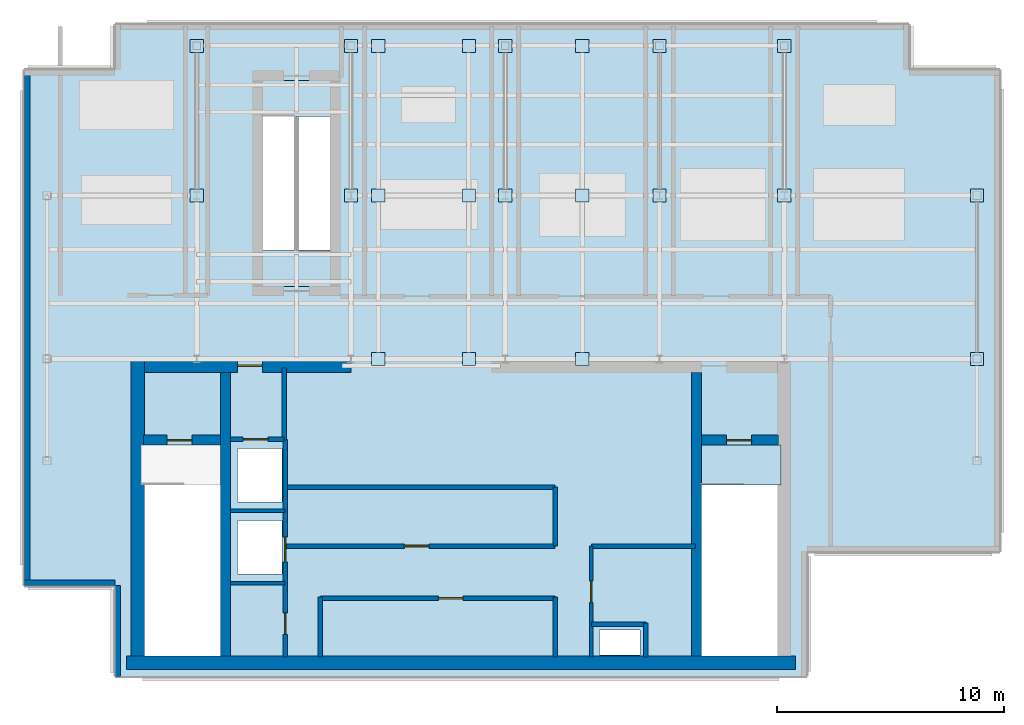
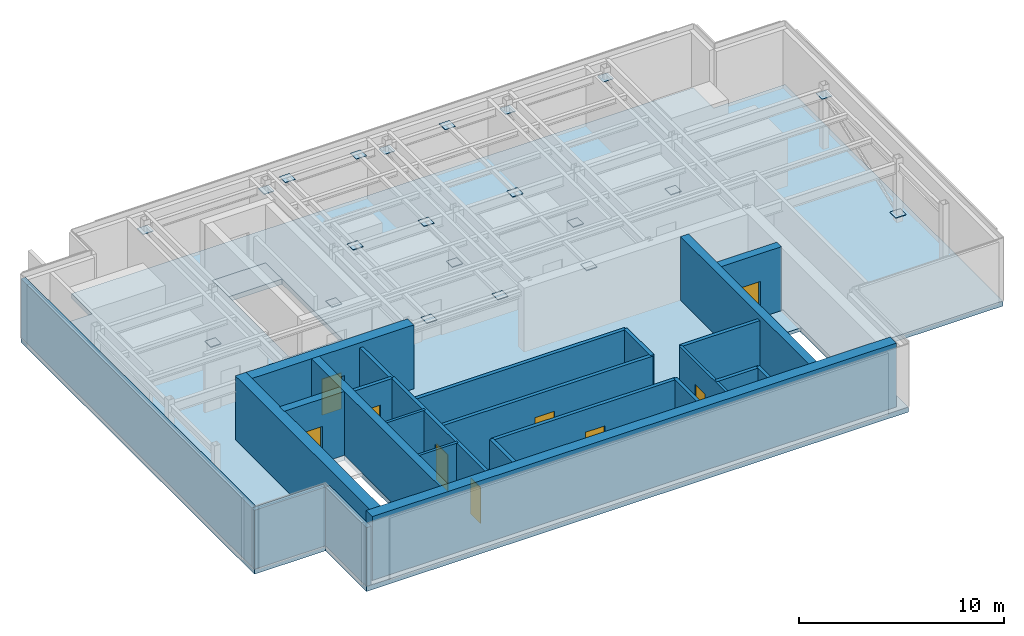
# One storey, part 2 of 5: 25 walls, 21 plates, 9 doors, 4 slabs, 9 openings.
"""IFC4 building model written with IfcOpenShell, lengths in metres."""

from ifc_helpers import new_model, si_unit, derived_unit, direction, frame, frame_2d, origin, origin_2d, place, context, subcontext, project, spatial, polyline, rectangle, outline, extrude, source, transform, mapped, material, layer, layer_set, type_object, element, fill, save


model = new_model("IFC4")

# Units and contexts
model_context = context("Model", 3, precision=1e-05, world=origin(), true_north=direction((0.0, 1.0)))
body_context = subcontext(model_context, "Body", "Model", "MODEL_VIEW")
ifc_project = project(units=[si_unit("LENGTHUNIT", "METRE"), si_unit("AREAUNIT", "SQUARE_METRE"), si_unit("VOLUMEUNIT", "CUBIC_METRE"), si_unit("PLANEANGLEUNIT", "RADIAN"), si_unit("MASSUNIT", "GRAM", prefix="KILO"), derived_unit("THERMALTRANSMITTANCEUNIT", [(si_unit("POWERUNIT", "WATT"), 1), (si_unit("LENGTHUNIT", "METRE"), -2), (si_unit("THERMODYNAMICTEMPERATUREUNIT", "KELVIN"), -1)])], contexts=[model_context])

# Site, building, storey
site_placement = place(None, origin())
site = spatial("IfcSite", under=ifc_project, at=site_placement, CompositionType="ELEMENT")
building_placement = place(site_placement, origin())
building = spatial("IfcBuilding", under=site, at=building_placement, Name="Skarnbrae Concourse Arena and Tower", CompositionType="ELEMENT")
storey_placement = place(building_placement, frame((0.0, 0.0, 311.25)))
storey = spatial("IfcBuildingStorey", under=building, at=storey_placement, Name="L81", CompositionType="ELEMENT", Elevation=311.25)

# Slabs
ifc_material_1 = material(Name="Concrete 40 MPa (C40/50)", Category="concrete")
ifc_layer_1 = layer(ifc_material_1, 0.199951171875)
ifc_layer_set_1 = layer_set([ifc_layer_1], Name="Concrete 40 MPa (C40/50)")
slab_type_1 = type_object("IfcSlabType", Name="SLAB-LANDING-200", PredefinedType="LANDING", material=ifc_layer_set_1)
slab_1_placement = place(storey_placement, frame((0.0, 0.0, -0.199951171875)))
element("IfcSlab", 1, at=slab_1_placement, inside=storey, type_object=slab_type_1, Name="L81 Core stair ST2 floor landing", PredefinedType="LANDING", context=body_context, shape_type="SweptSolid", body=[
    extrude(outline(polyline([(29.85009765625, 10.199951171875), (29.85009765625, 8.449951171875), (33.35009765625, 8.449951171875), (33.35009765625, 10.199951171875), (29.85009765625, 10.199951171875)])), origin(), (0.0, 0.0, 1.0), 0.199951171875),
])
slab_2_placement = place(storey_placement, frame((0.0, 0.0, -0.300048828125)))
element("IfcSlab", 2, at=slab_2_placement, inside=storey, type_object=slab_type_1, Name="L81 Stair ST-CRWN near floor landing", PredefinedType="LANDING", context=body_context, shape_type="SweptSolid", body=[
    extrude(outline(polyline([(13.5, 17.199951171875), (13.5, 18.800048828125), (10.5, 18.800048828125), (10.5, 17.199951171875), (13.5, 17.199951171875)])), origin(), (0.0, 0.0, 1.0), 0.300048828125),
])
slab_3_placement = place(storey_placement, frame((0.0, 0.0, -0.300048828125)))
element("IfcSlab", 3, at=slab_3_placement, inside=storey, type_object=slab_type_1, Name="L81 Stair ST-CRWN far floor landing", PredefinedType="LANDING", context=body_context, shape_type="SweptSolid", body=[
    extrude(outline(polyline([(13.5, 24.679931640625), (13.5, 26.280029296875), (10.5, 26.280029296875), (10.5, 24.679931640625), (13.5, 24.679931640625)])), origin(), (0.0, 0.0, 1.0), 0.300048828125),
])
ifc_layer_2 = layer(ifc_material_1, 0.300048828125)
ifc_layer_set_2 = layer_set([ifc_layer_2], Name="Concrete 40 MPa (C40/50)")
slab_type_2 = type_object("IfcSlabType", Name="SLAB-PODIUM-300", PredefinedType="FLOOR", material=ifc_layer_set_2)
slab_4_placement = place(storey_placement, frame((0.0, 0.0, -0.300048828125)))
element("IfcSlab", 4, at=slab_4_placement, inside=storey, type_object=slab_type_2, Name="L81 Structural floor slab", PredefinedType="FLOOR", context=body_context, shape_type="SweptSolid", body=[
    extrude(outline(polyline([(4.0, 0.0), (34.5, 0.0), (34.5, 5.5), (43.0, 5.5), (43.0, 26.75), (39.0, 26.75), (39.0, 28.75), (4.0, 28.75), (4.0, 26.75), (0.0, 26.75), (0.0, 4.0), (4.0, 4.0), (4.0, 0.0)]), holes=[polyline([(27.14990234375, 0.949951171875), (25.35009765625, 0.949951171875), (25.35009765625, 2.050048828125), (27.14990234375, 2.050048828125), (27.14990234375, 0.949951171875)]), polyline([(5.14990234375, 10.199951171875), (8.64990234375, 10.199951171875), (8.64990234375, 0.89990234375), (5.14990234375, 0.89990234375), (5.14990234375, 10.199951171875)]), polyline([(29.85009765625, 10.199951171875), (33.35009765625, 10.199951171875), (33.35009765625, 0.89990234375), (29.85009765625, 0.89990234375), (29.85009765625, 10.199951171875)]), polyline([(11.35498046875, 4.52001953125), (9.39501953125, 4.52001953125), (9.39501953125, 6.8798828125), (11.35498046875, 6.8798828125), (11.35498046875, 4.52001953125)]), polyline([(9.39501953125, 7.695068359375), (9.39501953125, 10.054931640625), (11.35498046875, 10.054931640625), (11.35498046875, 7.695068359375), (9.39501953125, 7.695068359375)]), polyline([(13.5, 17.199951171875), (10.5, 17.199951171875), (10.5, 26.280029296875), (13.5, 26.280029296875), (13.5, 17.199951171875)])]), origin(), (0.0, 0.0, 1.0), 0.300048828125),
])

# Plates
ifc_material_2 = material(Name="Steel CSA G40.21 350W", Category="steel")
ifc_layer_3 = layer(ifc_material_2, 0.031982421875)
ifc_layer_set_3 = layer_set([ifc_layer_3], Name="Steel CSA G40.21 350W")
plate_type = type_object("IfcPlateType", Name="PLT-CAP-HOLLOW", PredefinedType="USERDEFINED", material=ifc_layer_set_3)
shared_shape_1 = source(origin(), body_context, "Body", "SweptSolid", [
    extrude(rectangle(XDim=0.580078125, YDim=0.580078125, at=origin_2d()), origin(), (0.0, 0.0, 1.0), 0.031982421875),
])
for number, where, z_axis, x_axis, name in (
    (5, (15.60009765625, 14.0, 3.36376953125), (0.0, 0.0, 1.0), (1.0, 0.0, 0.0), "L81 Roof purlin cap plate 1.1A"),
    (6, (15.60009765625, 21.199951171875, 3.36376953125), (0.0, 0.0, 1.0), (1.0, 0.0, 0.0), "L81 Roof purlin cap plate 1.1B"),
    (7, (15.60009765625, 27.800048828125, 3.36376953125), (0.0, 0.0, 1.0), (1.0, 0.0, 0.0), "L81 Roof purlin cap plate 1.2B"),
    (8, (19.60009765625, 14.0, 3.36376953125), (0.0, 0.0, 1.0), (1.0, 0.0, 0.0), "L81 Roof purlin cap plate 2.1A"),
    (9, (19.60009765625, 21.199951171875, 3.36376953125), (0.0, 0.0, 1.0), (1.0, 0.0, 0.0), "L81 Roof purlin cap plate 2.1B"),
    (10, (19.60009765625, 27.800048828125, 3.36376953125), (0.0, 0.0, 1.0), (1.0, 0.0, 0.0), "L81 Roof purlin cap plate 2.2B"),
    (11, (24.60009765625, 14.0, 3.36376953125), (0.0, 0.0, 1.0), (1.0, 0.0, 0.0), "L81 Roof purlin cap plate 3.1A"),
    (12, (24.60009765625, 21.199951171875, 3.36376953125), (0.0, 0.0, 1.0), (1.0, 0.0, 0.0), "L81 Roof purlin cap plate 3.1B"),
    (13, (24.60009765625, 27.800048828125, 3.36376953125), (0.0, 0.0, 1.0), (1.0, 0.0, 0.0), "L81 Roof purlin cap plate 3.2B"),
    (14, (42.0, 14.0, 0.3837890625), (0.0, 0.0, 1.0), (1.0, 0.0, 0.0), "L81 Crown brace base cap plate 01A"),
    (15, (42.0, 21.199951171875, 3.083984375), (0.0, 0.0, 1.0), (1.0, 0.0, 0.0), "L81 Crown brace top cap plate 01B"),
    (16, (7.60009765625, 21.199951171875, 0.3837890625), (0.0, 0.0, 1.0), (1.0, 0.0, 0.0), "L81 Crown brace base cap plate 02A"),
    (17, (7.60009765625, 27.800048828125, 3.083984375), (0.0, 0.0, 1.0), (1.0, 0.0, 0.0), "L81 Crown brace top cap plate 02B"),
    (18, (14.39990234375, 21.199951171875, 0.3837890625), (0.0, 0.0, 1.0), (1.0, 0.0, 0.0), "L81 Crown brace base cap plate 03A"),
    (19, (14.39990234375, 27.800048828125, 3.083984375), (0.0, 0.0, 1.0), (1.0, 0.0, 0.0), "L81 Crown brace top cap plate 03B"),
    (20, (21.199951171875, 21.199951171875, 0.3837890625), (0.0, 0.0, 1.0), (1.0, 0.0, 0.0), "L81 Crown brace base cap plate 04A"),
    (21, (21.199951171875, 27.800048828125, 3.083984375), (0.0, 0.0, 1.0), (1.0, 0.0, 0.0), "L81 Crown brace top cap plate 04B"),
    (22, (28.0, 21.199951171875, 0.3837890625), (0.0, 0.0, 1.0), (1.0, 0.0, 0.0), "L81 Crown brace base cap plate 05A"),
    (23, (28.0, 27.800048828125, 3.083984375), (0.0, 0.0, 1.0), (1.0, 0.0, 0.0), "L81 Crown brace top cap plate 05B"),
    (24, (33.5, 21.199951171875, 0.3837890625), (0.0, 0.0, 1.0), (1.0, 0.0, 0.0), "L81 Crown brace base cap plate 06A"),
    (25, (33.5, 27.800048828125, 3.083984375), (0.0, 0.0, 1.0), (1.0, 0.0, 0.0), "L81 Crown brace top cap plate 06B"),
):
    element("IfcPlate", number, at=place(storey_placement, frame(where, z_axis=z_axis, x_axis=x_axis)), inside=storey, type_object=plate_type, Name=name, ObjectType="CAP PLATE", PredefinedType="USERDEFINED", context=body_context, shape_type="MappedRepresentation", body=[
        mapped(shared_shape_1, transform((0.0, 0.0, 0.0))),
    ])

# Walls
ifc_material_3 = material(Name="Concrete 50 MPa (C50/60)", Category="concrete")
ifc_layer_4 = layer(ifc_material_3, 0.60009765625)
ifc_layer_set_4 = layer_set([ifc_layer_4], Name="Concrete 50 MPa (C50/60)")
wall_type_1 = type_object("IfcWallType", Name="WALL-CORE-600-C50", PredefinedType="SHEAR", material=ifc_layer_set_4)
shared_shape_2 = source(origin(), body_context, "Body", "SweptSolid", [
    extrude(rectangle(XDim=29.5, YDim=0.60009765625, at=frame_2d((14.75, 0.0))), origin(), (0.0, 0.0, 1.0), 3.800048828125),
])
wall_1_placement = place(storey_placement, frame((4.5, 0.60009765625, 0.0), z_axis=(0.0, 0.0, 1.0), x_axis=(1.0, 0.0, 0.0)))
element("IfcWall", 26, at=wall_1_placement, inside=storey, type_object=wall_type_1, Name="L81 Rear core shear wall CW-S", PredefinedType="SHEAR", context=body_context, shape_type="MappedRepresentation", body=[
    mapped(shared_shape_2, transform((0.0, 0.0, 0.0))),
])
shared_shape_3 = source(origin(), body_context, "Body", "SweptSolid", [
    extrude(rectangle(XDim=13.10009765625, YDim=0.60009765625, at=frame_2d((6.550048828125, 0.0))), origin(), (0.0, 0.0, 1.0), 3.800048828125),
])
wall_2_placement = place(storey_placement, frame((5.0, 0.89990234375, 0.0), z_axis=(0.0, 0.0, 1.0), x_axis=(0.0, 1.0, 0.0)))
element("IfcWall", 27, at=wall_2_placement, inside=storey, type_object=wall_type_1, Name="L81 Rear core shear wall CW-W", PredefinedType="SHEAR", context=body_context, shape_type="MappedRepresentation", body=[
    mapped(shared_shape_3, transform((0.0, 0.0, 0.0))),
])

# Wall, opening, door
shared_shape_4 = source(origin(), body_context, "Body", "SweptSolid", [
    extrude(rectangle(XDim=9.099853515625, YDim=0.60009765625, at=frame_2d((4.5498046875, 0.0))), origin(), (0.0, 0.0, 1.0), 3.800048828125),
])
wall_3_placement = place(storey_placement, frame((5.300048828125, 13.699951171875, 0.0), z_axis=(0.0, 0.0, 1.0), x_axis=(1.0, 0.0, 0.0)))
wall_3 = element("IfcWall", 28, at=wall_3_placement, inside=storey, type_object=wall_type_1, Name="L81 Rear core shear wall CW-NW", PredefinedType="SHEAR", context=body_context, shape_type="MappedRepresentation", body=[
    mapped(shared_shape_4, transform((0.0, 0.0, 0.0))),
])
opening_1_placement = place(wall_3_placement, frame((4.10009765625, 0.0, 0.0)))
opening_1 = element("IfcOpeningElement", 29, at=opening_1_placement, cuts=wall_3, Name="Opening DT-03", PredefinedType="OPENING", context=body_context, shape_type="SweptSolid", body=[
    extrude(rectangle(XDim=1.10009765625, YDim=2.14990234375, at=frame_2d((0.550048828125, 1.074951171875))), frame((0.0, 0.31005859375, 0.0), z_axis=(0.0, -1.0, 0.0), x_axis=(1.0, 0.0, 0.0)), (0.0, 0.0, 1.0), 0.6201171875),
])
door_type_1 = type_object("IfcDoorType", Name="DOOR-FIRE-1100-90M", OperationType="NOTDEFINED", PredefinedType="DOOR", material=ifc_material_2)
shared_shape_5 = source(origin(), body_context, "Body", "SweptSolid", [
    extrude(rectangle(XDim=1.10009765625, YDim=2.14990234375, at=frame_2d((0.550048828125, 1.074951171875))), frame((0.0, 0.02490234375, 0.0), z_axis=(0.0, -1.0, 0.0), x_axis=(1.0, 0.0, 0.0)), (0.0, 0.0, 1.0), 0.050048828125),
])
door_1_placement = place(opening_1_placement, origin())
door_1 = element("IfcDoor", 30, at=door_1_placement, inside=storey, type_object=door_type_1, Name="D-2373 Firefighting Lobby Exit Door", OperationType="SINGLE_SWING_RIGHT", OverallHeight=2.14990234375, OverallWidth=1.10009765625, PredefinedType="DOOR", context=body_context, shape_type="MappedRepresentation", body=[
    mapped(shared_shape_5, transform((0.0, 0.0, 0.0))),
])
fill(opening_1, door_1)

# Walls
ifc_layer_5 = layer(ifc_material_3, 0.449951171875)
ifc_layer_set_5 = layer_set([ifc_layer_5], Name="Concrete 50 MPa (C50/60)")
wall_type_2 = type_object("IfcWallType", Name="WALL-CORE-450-C50", PredefinedType="SHEAR", material=ifc_layer_set_5)
shared_shape_6 = source(origin(), body_context, "Body", "SweptSolid", [
    extrude(rectangle(XDim=12.5, YDim=0.449951171875, at=frame_2d((6.25, 0.0))), origin(), (0.0, 0.0, 1.0), 3.800048828125),
])
for number, where, z_axis, x_axis, name in (
    (31, (8.864990234375, 0.89990234375, 0.0), (0.0, 0.0, 1.0), (0.0, 1.0, 0.0), "L81 Rear core shear wall CW-WEB-W"),
    (32, (29.635009765625, 0.89990234375, 0.0), (0.0, 0.0, 1.0), (0.0, 1.0, 0.0), "L81 Rear core shear wall CW-WEB-E"),
):
    element("IfcWall", number, at=place(storey_placement, frame(where, z_axis=z_axis, x_axis=x_axis)), inside=storey, type_object=wall_type_2, Name=name, PredefinedType="SHEAR", context=body_context, shape_type="MappedRepresentation", body=[
        mapped(shared_shape_6, transform((0.0, 0.0, 0.0))),
    ])

# Wall, opening, door
shared_shape_7 = source(origin(), body_context, "Body", "SweptSolid", [
    extrude(rectangle(XDim=3.389892578125, YDim=0.449951171875, at=frame_2d((1.69482421875, 0.0))), origin(), (0.0, 0.0, 1.0), 3.800048828125),
])
wall_4_placement = place(storey_placement, frame((5.25, 10.419921875, 0.0), z_axis=(0.0, 0.0, 1.0), x_axis=(1.0, 0.0, 0.0)))
wall_4 = element("IfcWall", 33, at=wall_4_placement, inside=storey, type_object=wall_type_2, Name="L81 Rear core shear wall CW-ST1-N", PredefinedType="SHEAR", context=body_context, shape_type="MappedRepresentation", body=[
    mapped(shared_shape_7, transform((0.0, 0.0, 0.0))),
])
opening_2_placement = place(wall_4_placement, frame((1.050048828125, 0.0, 0.0)))
opening_2 = element("IfcOpeningElement", 34, at=opening_2_placement, cuts=wall_4, Name="Opening DT-03", PredefinedType="OPENING", context=body_context, shape_type="SweptSolid", body=[
    extrude(rectangle(XDim=1.10009765625, YDim=2.14990234375, at=frame_2d((0.550048828125, 1.074951171875))), frame((0.0, 0.23486328125, 0.0), z_axis=(0.0, -1.0, 0.0), x_axis=(1.0, 0.0, 0.0)), (0.0, 0.0, 1.0), 0.469970703125),
])
door_2_placement = place(opening_2_placement, frame((1.10009765625, 0.0, 0.0), z_axis=(0.0, 0.0, 1.0), x_axis=(-1.0, 0.0, 0.0)))
door_2 = element("IfcDoor", 35, at=door_2_placement, inside=storey, type_object=door_type_1, Name="D-2371 Stair ST-1 Door", OperationType="SINGLE_SWING_LEFT", OverallHeight=2.14990234375, OverallWidth=1.10009765625, PredefinedType="DOOR", context=body_context, shape_type="MappedRepresentation", body=[
    mapped(shared_shape_5, transform((0.0, 0.0, 0.0))),
])
fill(opening_2, door_2)

wall_5_placement = place(storey_placement, frame((29.860107421875, 10.419921875, 0.0), z_axis=(0.0, 0.0, 1.0), x_axis=(1.0, 0.0, 0.0)))
wall_5 = element("IfcWall", 36, at=wall_5_placement, inside=storey, type_object=wall_type_2, Name="L81 Rear core shear wall CW-ST2-N", PredefinedType="SHEAR", context=body_context, shape_type="MappedRepresentation", body=[
    mapped(shared_shape_7, transform((0.0, 0.0, 0.0))),
])
opening_3_placement = place(wall_5_placement, frame((1.10009765625, 0.0, 0.0)))
opening_3 = element("IfcOpeningElement", 37, at=opening_3_placement, cuts=wall_5, Name="Opening DT-03", PredefinedType="OPENING", context=body_context, shape_type="SweptSolid", body=[
    extrude(rectangle(XDim=1.10009765625, YDim=2.14990234375, at=frame_2d((0.550048828125, 1.074951171875))), frame((0.0, 0.23486328125, 0.0), z_axis=(0.0, -1.0, 0.0), x_axis=(1.0, 0.0, 0.0)), (0.0, 0.0, 1.0), 0.469970703125),
])
door_3_placement = place(opening_3_placement, frame((1.10009765625, 0.0, 0.0), z_axis=(0.0, 0.0, 1.0), x_axis=(-1.0, 0.0, 0.0)))
door_3 = element("IfcDoor", 38, at=door_3_placement, inside=storey, type_object=door_type_1, Name="D-2372 Stair ST-2 Door", OperationType="SINGLE_SWING_RIGHT", OverallHeight=2.14990234375, OverallWidth=1.10009765625, PredefinedType="DOOR", context=body_context, shape_type="MappedRepresentation", body=[
    mapped(shared_shape_5, transform((0.0, 0.0, 0.0))),
])
fill(opening_3, door_3)

# Walls
ifc_material_4 = material(Name="Precast concrete 40 MPa (C40/50)", Category="concrete")
ifc_layer_6 = layer(ifc_material_4, 0.25)
ifc_layer_set_6 = layer_set([ifc_layer_6], Name="Precast concrete 40 MPa (C40/50)")
wall_type_3 = type_object("IfcWallType", Name="WALL-CROWN-BRONZE-250", PredefinedType="STANDARD", material=ifc_layer_set_6)
shared_shape_8 = source(origin(), body_context, "Body", "SweptSolid", [
    extrude(rectangle(XDim=4.0, YDim=0.25, at=frame_2d((2.0, 0.0))), origin(), (0.0, 0.0, 1.0), 3.5),
])
for number, where, z_axis, x_axis, name in (
    (39, (0.0, 4.125, 0.0), (0.0, 0.0, 1.0), (1.0, 0.0, 0.0), "L81 Crown enclosure wall 11"),
    (40, (4.125, 4.0, 0.0), (0.0, 0.0, 1.0), (0.0, -1.0, 0.0), "L81 Crown enclosure wall 12"),
):
    element("IfcWall", number, at=place(storey_placement, frame(where, z_axis=z_axis, x_axis=x_axis)), inside=storey, type_object=wall_type_3, Name=name, PredefinedType="STANDARD", context=body_context, shape_type="MappedRepresentation", body=[
        mapped(shared_shape_8, transform((0.0, 0.0, 0.0))),
    ])
shared_shape_9 = source(origin(), body_context, "Body", "SweptSolid", [
    extrude(rectangle(XDim=22.75, YDim=0.25, at=frame_2d((11.375, 0.0))), origin(), (0.0, 0.0, 1.0), 3.5),
])
wall_6_placement = place(storey_placement, frame((0.125, 26.75, 0.0), z_axis=(0.0, 0.0, 1.0), x_axis=(0.0, -1.0, 0.0)))
element("IfcWall", 41, at=wall_6_placement, inside=storey, type_object=wall_type_3, Name="L81 Crown enclosure wall 10", PredefinedType="STANDARD", context=body_context, shape_type="MappedRepresentation", body=[
    mapped(shared_shape_9, transform((0.0, 0.0, 0.0))),
])
ifc_material_5 = material(Name="Gypsum board on cold-formed steel studs", Category="steel")
ifc_layer_7 = layer(ifc_material_5, 0.199951171875)
ifc_layer_set_7 = layer_set([ifc_layer_7], Name="Gypsum board on cold-formed steel studs")
wall_type_4 = type_object("IfcWallType", Name="WALL-PART-200-2HR", PredefinedType="PARTITIONING", material=ifc_layer_set_7)
shared_shape_10 = source(origin(), body_context, "Body", "SweptSolid", [
    extrude(rectangle(XDim=3.18017578125, YDim=0.199951171875, at=frame_2d((1.590087890625, 0.0))), origin(), (0.0, 0.0, 1.0), 3.5),
])
wall_7_placement = place(storey_placement, frame((11.449951171875, 10.419921875, 0.0), z_axis=(0.0, 0.0, 1.0), x_axis=(0.0, 1.0, 0.0)))
element("IfcWall", 42, at=wall_7_placement, inside=storey, type_object=wall_type_4, Name="L81 Interior partition wall W-L81-FFL-E", PredefinedType="PARTITIONING", context=body_context, shape_type="MappedRepresentation", body=[
    mapped(shared_shape_10, transform((0.0, 0.0, 0.0))),
])

# Wall, opening, door
shared_shape_11 = source(origin(), body_context, "Body", "SweptSolid", [
    extrude(rectangle(XDim=2.349853515625, YDim=0.199951171875, at=frame_2d((1.1748046875, 0.0))), origin(), (0.0, 0.0, 1.0), 3.5),
])
wall_8_placement = place(storey_placement, frame((9.10009765625, 10.449951171875, 0.0), z_axis=(0.0, 0.0, 1.0), x_axis=(1.0, 0.0, 0.0)))
wall_8 = element("IfcWall", 43, at=wall_8_placement, inside=storey, type_object=wall_type_4, Name="L81 Interior partition wall W-L81-FL1-N", PredefinedType="PARTITIONING", context=body_context, shape_type="MappedRepresentation", body=[
    mapped(shared_shape_11, transform((0.0, 0.0, 0.0))),
])
opening_4_placement = place(wall_8_placement, frame((0.550048828125, 0.0, 0.0)))
opening_4 = element("IfcOpeningElement", 44, at=opening_4_placement, cuts=wall_8, Name="Opening LD-01", PredefinedType="OPENING", context=body_context, shape_type="SweptSolid", body=[
    extrude(rectangle(XDim=1.10009765625, YDim=2.14990234375, at=frame_2d((0.550048828125, 1.074951171875))), frame((0.0, 0.10986328125, 0.0), z_axis=(0.0, -1.0, 0.0), x_axis=(1.0, 0.0, 0.0)), (0.0, 0.0, 1.0), 0.219970703125),
])
door_type_2 = type_object("IfcDoorType", Name="DOOR-LIFT-SLIDE-1100", OperationType="SLIDING_TO_LEFT", PredefinedType="DOOR", material=ifc_material_2)
door_4_placement = place(opening_4_placement, origin())
door_4 = element("IfcDoor", 45, at=door_4_placement, inside=storey, type_object=door_type_2, Name="D-2375 Firefighting Lift Landing Door FL-01", OperationType="SLIDING_TO_LEFT", OverallHeight=2.14990234375, OverallWidth=1.10009765625, PredefinedType="DOOR", context=body_context, shape_type="MappedRepresentation", body=[
    mapped(shared_shape_5, transform((0.0, 0.0, 0.0))),
])
fill(opening_4, door_4)

# Wall, openings, doors
shared_shape_12 = source(origin(), body_context, "Body", "SweptSolid", [
    extrude(rectangle(XDim=9.599853515625, YDim=0.199951171875, at=frame_2d((4.7998046875, 0.0))), origin(), (0.0, 0.0, 1.0), 3.5),
])
wall_9_placement = place(storey_placement, frame((11.5, 0.85009765625, 0.0), z_axis=(0.0, 0.0, 1.0), x_axis=(0.0, 1.0, 0.0)))
wall_9 = element("IfcWall", 46, at=wall_9_placement, inside=storey, type_object=wall_type_4, Name="L81 Interior partition wall W-L81-FL-E", PredefinedType="PARTITIONING", context=body_context, shape_type="MappedRepresentation", body=[
    mapped(shared_shape_12, transform((0.0, 0.0, 0.0))),
])
opening_5_placement = place(wall_9_placement, frame((4.199951171875, 0.0, 0.0)))
opening_5 = element("IfcOpeningElement", 47, at=opening_5_placement, cuts=wall_9, Name="Opening LD-01", PredefinedType="OPENING", context=body_context, shape_type="SweptSolid", body=[
    extrude(rectangle(XDim=1.10009765625, YDim=2.14990234375, at=frame_2d((0.550048828125, 1.074951171875))), frame((0.0, 0.10986328125, 0.0), z_axis=(0.0, -1.0, 0.0), x_axis=(1.0, 0.0, 0.0)), (0.0, 0.0, 1.0), 0.219970703125),
])
opening_6_placement = place(wall_9_placement, frame((1.0, 0.0, 0.0)))
opening_6 = element("IfcOpeningElement", 48, at=opening_6_placement, cuts=wall_9, Name="Opening DT-04", PredefinedType="OPENING", context=body_context, shape_type="SweptSolid", body=[
    extrude(rectangle(XDim=0.949951171875, YDim=2.14990234375, at=frame_2d((0.47509765625, 1.074951171875))), frame((0.0, 0.10986328125, 0.0), z_axis=(0.0, -1.0, 0.0), x_axis=(1.0, 0.0, 0.0)), (0.0, 0.0, 1.0), 0.219970703125),
])
door_5_placement = place(opening_5_placement, frame((1.10009765625, 0.0, 0.0), z_axis=(0.0, 0.0, 1.0), x_axis=(-1.0, 0.0, 0.0)))
door_5 = element("IfcDoor", 49, at=door_5_placement, inside=storey, type_object=door_type_2, Name="D-2376 Firefighting Lift Landing Door FL-02", OperationType="SLIDING_TO_LEFT", OverallHeight=2.14990234375, OverallWidth=1.10009765625, PredefinedType="DOOR", context=body_context, shape_type="MappedRepresentation", body=[
    mapped(shared_shape_5, transform((0.0, 0.0, 0.0))),
])
fill(opening_5, door_5)
door_type_3 = type_object("IfcDoorType", Name="DOOR-INT-950-45M", OperationType="NOTDEFINED", PredefinedType="DOOR", material=ifc_material_2)
shared_shape_13 = source(origin(), body_context, "Body", "SweptSolid", [
    extrude(rectangle(XDim=0.949951171875, YDim=2.14990234375, at=frame_2d((0.47509765625, 1.074951171875))), frame((0.0, 0.02490234375, 0.0), z_axis=(0.0, -1.0, 0.0), x_axis=(1.0, 0.0, 0.0)), (0.0, 0.0, 1.0), 0.050048828125),
])
door_6_placement = place(opening_6_placement, frame((0.949951171875, 0.0, 0.0), z_axis=(0.0, 0.0, 1.0), x_axis=(-1.0, 0.0, 0.0)))
door_6 = element("IfcDoor", 50, at=door_6_placement, inside=storey, type_object=door_type_3, Name="D-2377 Crown Exhaust Plant Door", OperationType="SINGLE_SWING_RIGHT", OverallHeight=2.14990234375, OverallWidth=0.949951171875, PredefinedType="DOOR", context=body_context, shape_type="MappedRepresentation", body=[
    mapped(shared_shape_13, transform((0.0, 0.0, 0.0))),
])
fill(opening_6, door_6)

# Walls
ifc_layer_8 = layer(ifc_material_5, 0.14990234375)
ifc_layer_set_8 = layer_set([ifc_layer_8], Name="Gypsum board on cold-formed steel studs")
wall_type_5 = type_object("IfcWallType", Name="WALL-PART-150", PredefinedType="PARTITIONING", material=ifc_layer_set_8)
shared_shape_14 = source(origin(), body_context, "Body", "SweptSolid", [
    extrude(rectangle(XDim=2.39990234375, YDim=0.14990234375, at=frame_2d((1.199951171875, 0.0))), origin(), (0.0, 0.0, 1.0), 3.5),
])
for number, where, z_axis, x_axis, name in (
    (51, (9.10009765625, 4.10009765625, 0.0), (0.0, 0.0, 1.0), (1.0, 0.0, 0.0), "L81 Interior partition wall W-L81-FL-D1"),
    (52, (9.10009765625, 7.300048828125, 0.0), (0.0, 0.0, 1.0), (1.0, 0.0, 0.0), "L81 Interior partition wall W-L81-FL-D2"),
):
    element("IfcWall", number, at=place(storey_placement, frame(where, z_axis=z_axis, x_axis=x_axis)), inside=storey, type_object=wall_type_5, Name=name, PredefinedType="PARTITIONING", context=body_context, shape_type="MappedRepresentation", body=[
        mapped(shared_shape_14, transform((0.0, 0.0, 0.0))),
    ])
shared_shape_15 = source(origin(), body_context, "Body", "SweptSolid", [
    extrude(rectangle(XDim=2.64990234375, YDim=0.199951171875, at=frame_2d((1.324951171875, 0.0))), origin(), (0.0, 0.0, 1.0), 3.5),
])
for number, where, z_axis, x_axis, name in (
    (53, (13.050048828125, 0.85009765625, 0.0), (0.0, 0.0, 1.0), (0.0, 1.0, 0.0), "L81 Interior partition wall W-L81-B1B-W"),
    (54, (23.39990234375, 0.85009765625, 0.0), (0.0, 0.0, 1.0), (0.0, 1.0, 0.0), "L81 Interior partition wall W-L81-B1B-E"),
):
    element("IfcWall", number, at=place(storey_placement, frame(where, z_axis=z_axis, x_axis=x_axis)), inside=storey, type_object=wall_type_4, Name=name, PredefinedType="PARTITIONING", context=body_context, shape_type="MappedRepresentation", body=[
        mapped(shared_shape_15, transform((0.0, 0.0, 0.0))),
    ])

# Wall, opening, door
shared_shape_16 = source(origin(), body_context, "Body", "SweptSolid", [
    extrude(rectangle(XDim=10.349853515625, YDim=0.199951171875, at=frame_2d((5.1748046875, 0.0))), origin(), (0.0, 0.0, 1.0), 3.5),
])
wall_10_placement = place(storey_placement, frame((13.050048828125, 3.449951171875, 0.0), z_axis=(0.0, 0.0, 1.0), x_axis=(1.0, 0.0, 0.0)))
wall_10 = element("IfcWall", 55, at=wall_10_placement, inside=storey, type_object=wall_type_4, Name="L81 Interior partition wall W-L81-B1B-N", PredefinedType="PARTITIONING", context=body_context, shape_type="MappedRepresentation", body=[
    mapped(shared_shape_16, transform((0.0, 0.0, 0.0))),
])
opening_7_placement = place(wall_10_placement, frame((5.199951171875, 0.0, 0.0)))
opening_7 = element("IfcOpeningElement", 56, at=opening_7_placement, cuts=wall_10, Name="Opening DT-03", PredefinedType="OPENING", context=body_context, shape_type="SweptSolid", body=[
    extrude(rectangle(XDim=1.10009765625, YDim=2.14990234375, at=frame_2d((0.550048828125, 1.074951171875))), frame((0.0, 0.10986328125, 0.0), z_axis=(0.0, -1.0, 0.0), x_axis=(1.0, 0.0, 0.0)), (0.0, 0.0, 1.0), 0.219970703125),
])
door_7_placement = place(opening_7_placement, origin())
door_7 = element("IfcDoor", 57, at=door_7_placement, inside=storey, type_object=door_type_1, Name="D-2378 Core Plant Door", OperationType="SINGLE_SWING_LEFT", OverallHeight=2.14990234375, OverallWidth=1.10009765625, PredefinedType="DOOR", context=body_context, shape_type="MappedRepresentation", body=[
    mapped(shared_shape_5, transform((0.0, 0.0, 0.0))),
])
fill(opening_7, door_7)

shared_shape_17 = source(origin(), body_context, "Body", "SweptSolid", [
    extrude(rectangle(XDim=11.849853515625, YDim=0.199951171875, at=frame_2d((5.9248046875, 0.0))), origin(), (0.0, 0.0, 1.0), 3.5),
])
wall_11_placement = place(storey_placement, frame((11.550048828125, 5.75, 0.0), z_axis=(0.0, 0.0, 1.0), x_axis=(1.0, 0.0, 0.0)))
wall_11 = element("IfcWall", 58, at=wall_11_placement, inside=storey, type_object=wall_type_4, Name="L81 Interior partition wall W-L81-B2B-S", PredefinedType="PARTITIONING", context=body_context, shape_type="MappedRepresentation", body=[
    mapped(shared_shape_17, transform((0.0, 0.0, 0.0))),
])
opening_8_placement = place(wall_11_placement, frame((5.199951171875, 0.0, 0.0)))
opening_8 = element("IfcOpeningElement", 59, at=opening_8_placement, cuts=wall_11, Name="Opening DT-03", PredefinedType="OPENING", context=body_context, shape_type="SweptSolid", body=[
    extrude(rectangle(XDim=1.10009765625, YDim=2.14990234375, at=frame_2d((0.550048828125, 1.074951171875))), frame((0.0, 0.10986328125, 0.0), z_axis=(0.0, -1.0, 0.0), x_axis=(1.0, 0.0, 0.0)), (0.0, 0.0, 1.0), 0.219970703125),
])
door_8_placement = place(opening_8_placement, frame((1.10009765625, 0.0, 0.0), z_axis=(0.0, 0.0, 1.0), x_axis=(-1.0, 0.0, 0.0)))
door_8 = element("IfcDoor", 60, at=door_8_placement, inside=storey, type_object=door_type_1, Name="D-2379 Core Machine Room Door", OperationType="SINGLE_SWING_RIGHT", OverallHeight=2.14990234375, OverallWidth=1.10009765625, PredefinedType="DOOR", context=body_context, shape_type="MappedRepresentation", body=[
    mapped(shared_shape_5, transform((0.0, 0.0, 0.0))),
])
fill(opening_8, door_8)

# Walls
wall_12_placement = place(storey_placement, frame((11.550048828125, 8.35009765625, 0.0), z_axis=(0.0, 0.0, 1.0), x_axis=(1.0, 0.0, 0.0)))
element("IfcWall", 61, at=wall_12_placement, inside=storey, type_object=wall_type_4, Name="L81 Interior partition wall W-L81-B2B-N", PredefinedType="PARTITIONING", context=body_context, shape_type="MappedRepresentation", body=[
    mapped(shared_shape_17, transform((0.0, 0.0, 0.0))),
])
shared_shape_18 = source(origin(), body_context, "Body", "SweptSolid", [
    extrude(rectangle(XDim=2.60009765625, YDim=0.199951171875, at=frame_2d((1.300048828125, 0.0))), origin(), (0.0, 0.0, 1.0), 3.5),
])
wall_13_placement = place(storey_placement, frame((23.39990234375, 5.75, 0.0), z_axis=(0.0, 0.0, 1.0), x_axis=(0.0, 1.0, 0.0)))
element("IfcWall", 62, at=wall_13_placement, inside=storey, type_object=wall_type_4, Name="L81 Interior partition wall W-L81-B2B-E", PredefinedType="PARTITIONING", context=body_context, shape_type="MappedRepresentation", body=[
    mapped(shared_shape_18, transform((0.0, 0.0, 0.0))),
])

# Wall, opening, door
ifc_layer_9 = layer(ifc_material_5, 0.14990234375)
ifc_layer_set_9 = layer_set([ifc_layer_9], Name="Gypsum board on cold-formed steel studs")
wall_type_6 = type_object("IfcWallType", Name="WALL-PART-150-1HR", PredefinedType="PARTITIONING", material=ifc_layer_set_9)
shared_shape_19 = source(origin(), body_context, "Body", "SweptSolid", [
    extrude(rectangle(XDim=4.89990234375, YDim=0.14990234375, at=frame_2d((2.449951171875, 0.0))), origin(), (0.0, 0.0, 1.0), 3.5),
])
wall_14_placement = place(storey_placement, frame((25.0, 0.85009765625, 0.0), z_axis=(0.0, 0.0, 1.0), x_axis=(0.0, 1.0, 0.0)))
wall_14 = element("IfcWall", 63, at=wall_14_placement, inside=storey, type_object=wall_type_6, Name="L81 Interior partition wall W-L81-CSV-W", PredefinedType="PARTITIONING", context=body_context, shape_type="MappedRepresentation", body=[
    mapped(shared_shape_19, transform((0.0, 0.0, 0.0))),
])
opening_9_placement = place(wall_14_placement, frame((2.39990234375, 0.0, 0.0)))
opening_9 = element("IfcOpeningElement", 64, at=opening_9_placement, cuts=wall_14, Name="Opening DT-04", PredefinedType="OPENING", context=body_context, shape_type="SweptSolid", body=[
    extrude(rectangle(XDim=0.949951171875, YDim=2.14990234375, at=frame_2d((0.47509765625, 1.074951171875))), frame((0.0, 0.0849609375, 0.0), z_axis=(0.0, -1.0, 0.0), x_axis=(1.0, 0.0, 0.0)), (0.0, 0.0, 1.0), 0.169921875),
])
door_9_placement = place(opening_9_placement, origin())
door_9 = element("IfcDoor", 65, at=door_9_placement, inside=storey, type_object=door_type_3, Name="D-2380 Core Riser Plant Door", OperationType="SINGLE_SWING_LEFT", OverallHeight=2.14990234375, OverallWidth=0.949951171875, PredefinedType="DOOR", context=body_context, shape_type="MappedRepresentation", body=[
    mapped(shared_shape_13, transform((0.0, 0.0, 0.0))),
])
fill(opening_9, door_9)

# Walls
shared_shape_20 = source(origin(), body_context, "Body", "SweptSolid", [
    extrude(rectangle(XDim=2.39990234375, YDim=0.199951171875, at=frame_2d((1.199951171875, 0.0))), origin(), (0.0, 0.0, 1.0), 3.5),
])
wall_15_placement = place(storey_placement, frame((25.0, 2.300048828125, 0.0), z_axis=(0.0, 0.0, 1.0), x_axis=(1.0, 0.0, 0.0)))
element("IfcWall", 66, at=wall_15_placement, inside=storey, type_object=wall_type_4, Name="L81 Interior partition wall W-L81-MEP-N", PredefinedType="PARTITIONING", context=body_context, shape_type="MappedRepresentation", body=[
    mapped(shared_shape_20, transform((0.0, 0.0, 0.0))),
])
shared_shape_21 = source(origin(), body_context, "Body", "SweptSolid", [
    extrude(rectangle(XDim=1.5, YDim=0.199951171875, at=frame_2d((0.75, 0.0))), origin(), (0.0, 0.0, 1.0), 3.5),
])
wall_16_placement = place(storey_placement, frame((27.39990234375, 0.85009765625, 0.0), z_axis=(0.0, 0.0, 1.0), x_axis=(0.0, 1.0, 0.0)))
element("IfcWall", 67, at=wall_16_placement, inside=storey, type_object=wall_type_4, Name="L81 Interior partition wall W-L81-MEP-E", PredefinedType="PARTITIONING", context=body_context, shape_type="MappedRepresentation", body=[
    mapped(shared_shape_21, transform((0.0, 0.0, 0.0))),
])
shared_shape_22 = source(origin(), body_context, "Body", "SweptSolid", [
    extrude(rectangle(XDim=4.60009765625, YDim=0.199951171875, at=frame_2d((2.300048828125, 0.0))), origin(), (0.0, 0.0, 1.0), 3.5),
])
wall_17_placement = place(storey_placement, frame((25.0, 5.75, 0.0), z_axis=(0.0, 0.0, 1.0), x_axis=(1.0, 0.0, 0.0)))
element("IfcWall", 68, at=wall_17_placement, inside=storey, type_object=wall_type_4, Name="L81 Interior partition wall W-L81-CSV-N", PredefinedType="PARTITIONING", context=body_context, shape_type="MappedRepresentation", body=[
    mapped(shared_shape_22, transform((0.0, 0.0, 0.0))),
])

save(model, "model.ifc")
